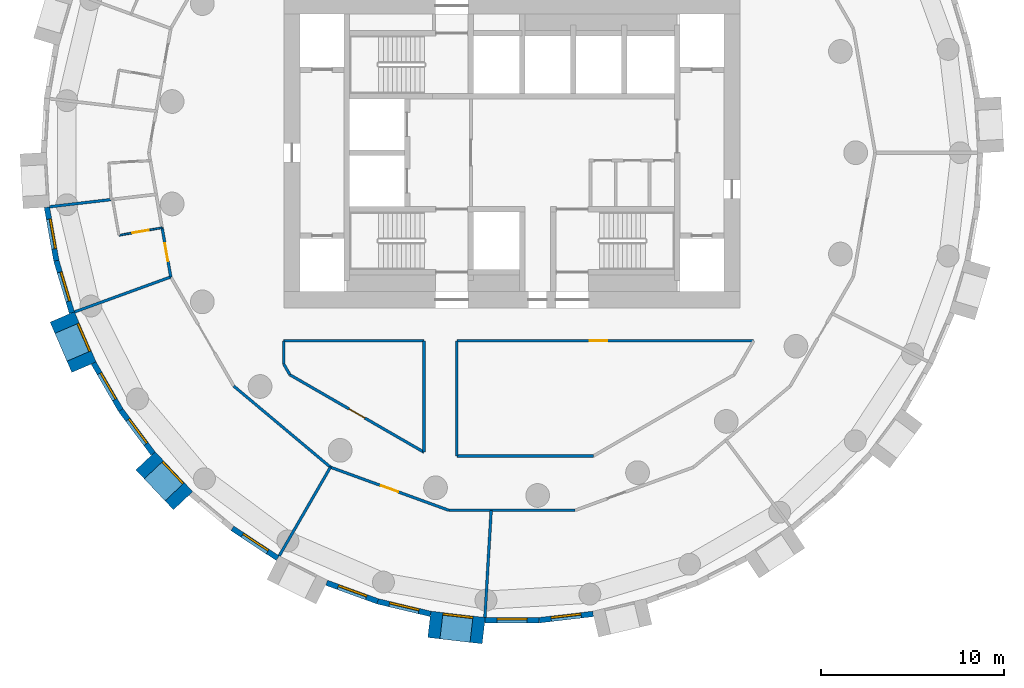
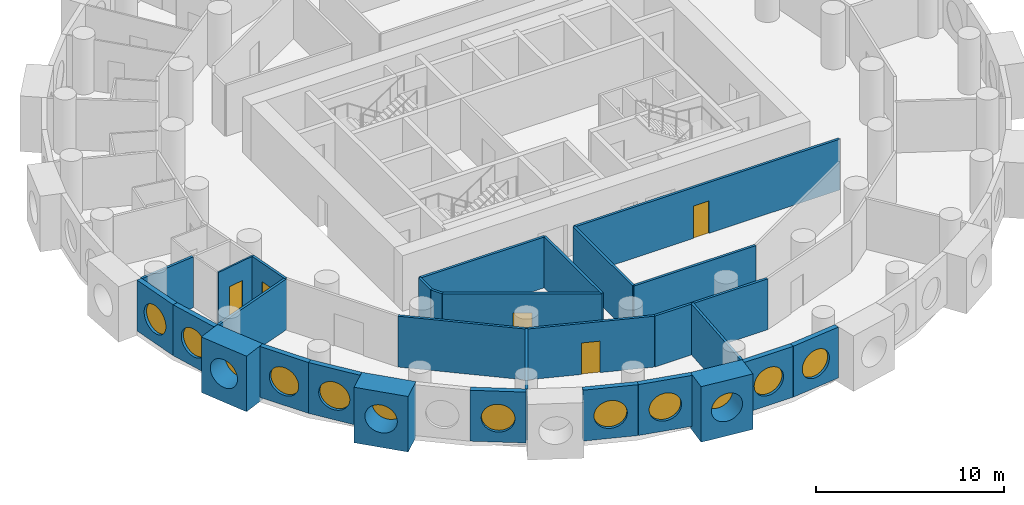
# One storey, part 2 of 10: 29 walls, 12 windows, 5 doors, 17 openings.
"""IFC4 building model written with IfcOpenShell, lengths in metres."""

import ifcopenshell
import ifcopenshell.guid

model = None  # the IFC model being written
_history = None  # IfcOwnerHistory: only IFC2X3 demands one
_inside = {}  # id of a spatial element -> (the spatial element, [elements in it])
_under = {}  # id of a project, library or spatial element -> (it, [spatial elements below it])
_declared = {}  # id of a project -> (the project, [libraries it declares])
_typed = {}  # id of a type object -> (the type object, [elements of that type])
_made_of = {}  # id of a material, layer set ... -> (it, [elements and type objects made of it])


def new_model(schema):
    """Start an empty IFC model of exactly this schema.

    Asked for "IFC4X3", IfcOpenShell would pick the latest addendum, in which some entities
    have other attributes; the version numbers below select the first issue.
    IFC2X3 requires an IfcOwnerHistory on every rooted entity: one is made here for all.
    """
    global model, _history
    if schema == "IFC4X3":
        model = ifcopenshell.file(schema_version=(4, 3, 0, 0))
    else:
        model = ifcopenshell.file(schema=schema)
    _inside.clear()
    _under.clear()
    _declared.clear()
    _typed.clear()
    _made_of.clear()
    _history = None
    if model.schema == "IFC2X3":
        org = make("IfcOrganization", Name="unknown")
        user = make(
            "IfcPersonAndOrganization",
            ThePerson=make("IfcPerson", FamilyName="unknown"),
            TheOrganization=org,
        )
        app = make(
            "IfcApplication",
            ApplicationDeveloper=org,
            Version="unknown",
            ApplicationFullName="unknown",
            ApplicationIdentifier="unknown",
        )
        _history = make(
            "IfcOwnerHistory",
            OwningUser=user,
            OwningApplication=app,
            ChangeAction="ADDED",
            CreationDate=0,
        )
    return model


def make(cls, **values):
    """One entity of the class cls with the attributes given. An attribute that is None is left unset."""
    return model.create_entity(
        cls, **{name: value for name, value in values.items() if value is not None}
    )


def rooted(cls, **values):
    """An entity with a GlobalId (a new one), such as an element, a storey or a relation."""
    return make(cls, GlobalId=ifcopenshell.guid.new(), OwnerHistory=_history, **values)


def si_unit(unit_type, name, prefix=None):
    """IfcSIUnit, for example si_unit("LENGTHUNIT", "METRE", prefix="MILLI")."""
    return make("IfcSIUnit", UnitType=unit_type, Prefix=prefix, Name=name)


def assignment(units):
    """IfcUnitAssignment: the units of a project."""
    return None if units is None else make("IfcUnitAssignment", Units=units)


def point(xyz):
    """IfcCartesianPoint."""
    return None if xyz is None else make("IfcCartesianPoint", Coordinates=xyz)


def direction(xyz):
    """IfcDirection."""
    return None if xyz is None else make("IfcDirection", DirectionRatios=xyz)


def frame(location, z_axis=None, x_axis=None):
    """IfcAxis2Placement3D, a coordinate frame: its origin and axes. An axis left out is left unset."""
    return make(
        "IfcAxis2Placement3D",
        Location=point(location),
        Axis=direction(z_axis),
        RefDirection=direction(x_axis),
    )


def frame_2d(location, x_axis=None):
    """IfcAxis2Placement2D, a coordinate frame in the plane: its origin and x axis."""
    return make(
        "IfcAxis2Placement2D", Location=point(location), RefDirection=direction(x_axis)
    )


def origin():
    """The frame at (0, 0, 0) with its axes left unset."""
    return frame((0.0, 0.0, 0.0))


def origin_2d():
    """The frame at (0, 0) in the plane with its x axis left unset."""
    return frame_2d((0.0, 0.0))


def place(relative_to, where):
    """IfcLocalPlacement: puts the frame where relative to a parent placement (None: the world)."""
    return make(
        "IfcLocalPlacement", PlacementRelTo=relative_to, RelativePlacement=where
    )


def context(
    kind, dimensions, precision=None, world=None, true_north=None, identifier=None
):
    """IfcGeometricRepresentationContext, for example the 3D "Model" context."""
    return make(
        "IfcGeometricRepresentationContext",
        ContextIdentifier=identifier,
        ContextType=kind,
        CoordinateSpaceDimension=dimensions,
        Precision=precision,
        WorldCoordinateSystem=world,
        TrueNorth=true_north,
    )


def subcontext(parent, identifier, kind, view, scale=None):
    """IfcGeometricRepresentationSubContext, for example "Body" below "Model"."""
    return make(
        "IfcGeometricRepresentationSubContext",
        ContextIdentifier=identifier,
        ContextType=kind,
        ParentContext=parent,
        TargetScale=scale,
        TargetView=view,
    )


def project(units=None, contexts=None):
    """IfcProject with its units and contexts."""
    return rooted(
        "IfcProject",
        Name="project",
        RepresentationContexts=contexts,
        UnitsInContext=assignment(units),
    )


def spatial(cls, under=None, at=None, **own):
    """A site, building, storey or space (cls), placed at a placement, below another one or the project."""
    s = rooted(cls, ObjectPlacement=at, **own)
    if under is not None:
        _under.setdefault(under.id(), (under, []))[1].append(s)
    return s


def profile(cls, at=None, kind="AREA", **sizes):
    """A parametric profile (cls). Its sizes go by their IFC names, for example OverallWidth=200.0."""
    return make(cls, ProfileType=kind, Position=at, **sizes)


def rectangle(**sizes):
    """IfcRectangleProfileDef."""
    return profile("IfcRectangleProfileDef", **sizes)


def circle(**sizes):
    """IfcCircleProfileDef."""
    return profile("IfcCircleProfileDef", **sizes)


def extrude(swept, where, along, depth):
    """IfcExtrudedAreaSolid: the profile swept, set in the frame where, extruded along a direction by depth."""
    return make(
        "IfcExtrudedAreaSolid",
        SweptArea=swept,
        Position=where,
        ExtrudedDirection=direction(along),
        Depth=depth,
    )


def shape(context_of_items, identifier, shape_type, items):
    """IfcShapeRepresentation: the items that make up one representation, for example the "Body"."""
    return make(
        "IfcShapeRepresentation",
        ContextOfItems=context_of_items,
        RepresentationIdentifier=identifier,
        RepresentationType=shape_type,
        Items=items,
    )


def material(Name=None, Category=None):
    """IfcMaterial."""
    return make("IfcMaterial", Name=Name, Category=Category)


def layer(
    of_material, thickness, ventilated=None, Name=None, Category=None, Priority=None
):
    """IfcMaterialLayer: one layer of a wall or slab, of a material (None: an air gap)."""
    return make(
        "IfcMaterialLayer",
        Material=of_material,
        LayerThickness=thickness,
        IsVentilated=ventilated,
        Name=Name,
        Category=Category,
        Priority=Priority,
    )


def layer_set(layers, Name=None):
    """IfcMaterialLayerSet."""
    return make("IfcMaterialLayerSet", MaterialLayers=layers, LayerSetName=Name)


def made_of(thing, what):
    """Note that an element or type object is made of a material, layer set ...; save() writes the relation."""
    if what is not None:
        _made_of.setdefault(what.id(), (what, []))[1].append(thing)
    return thing


def type_object(cls, material=None, **own):
    """A type object (cls), such as IfcWallType, which elements share."""
    return made_of(rooted(cls, **own), material)


def element(
    cls,
    number,
    at=None,
    inside=None,
    cuts=None,
    type_object=None,
    material=None,
    context=None,
    identifier="Body",
    shape_type=None,
    held_by="IfcProductDefinitionShape",
    body=None,
    shapes=None,
    **own,
):
    """One element of the class cls, such as IfcWall. Its Tag is "e" and its number.

    at: its placement. inside: the storey or other place that contains it. cuts: it is an
    opening in that element (IfcRelVoidsElement). A single representation is given by context,
    identifier, shape_type and body (its items); several are given by shapes. held_by: the class
    of the entity that holds the representations. save() writes the other relations.
    """
    e = rooted(cls, Tag="e%d" % number, ObjectPlacement=at, **own)
    if body is not None:
        shapes = [shape(context, identifier, shape_type, body)]
    if shapes is not None:
        e.Representation = make(held_by, Representations=shapes)
    if inside is not None:
        _inside.setdefault(inside.id(), (inside, []))[1].append(e)
    if cuts is not None:
        rooted(
            "IfcRelVoidsElement", RelatingBuildingElement=cuts, RelatedOpeningElement=e
        )
    if type_object is not None:
        _typed.setdefault(type_object.id(), (type_object, []))[1].append(e)
    return made_of(e, material)


def fill(opening, filler):
    """IfcRelFillsElement: the door or window that sits in an opening."""
    return rooted(
        "IfcRelFillsElement",
        RelatingOpeningElement=opening,
        RelatedBuildingElement=filler,
    )


def aggregate(whole, parts):
    """IfcRelAggregates: a whole, such as a stair, and the parts it consists of."""
    return rooted("IfcRelAggregates", RelatingObject=whole, RelatedObjects=parts)


def save(model, path):
    """Write the relations noted so far, then the file.

    IfcRelAggregates (storeys below a building ...), IfcRelContainedInSpatialStructure (elements
    in a storey), IfcRelDefinesByType, IfcRelAssociatesMaterial and IfcRelDeclares: one each for
    every whole, place, type object, material and project.
    """
    for whole, parts in _under.values():
        aggregate(whole, parts)
    for where, things in _inside.values():
        rooted(
            "IfcRelContainedInSpatialStructure",
            RelatedElements=things,
            RelatingStructure=where,
        )
    for kind, things in _typed.values():
        rooted("IfcRelDefinesByType", RelatedObjects=things, RelatingType=kind)
    for what, things in _made_of.values():
        rooted("IfcRelAssociatesMaterial", RelatedObjects=things, RelatingMaterial=what)
    for by, libraries in _declared.values():
        rooted("IfcRelDeclares", RelatingContext=by, RelatedDefinitions=libraries)
    model.write(path)


model = new_model("IFC4")

# Units and contexts
model_context = context("Model", 3, precision=1e-05, world=origin(), true_north=direction((0.0, 1.0)))
body_context = subcontext(model_context, "Body", "Model", "MODEL_VIEW")
ifc_project = project(units=[si_unit("LENGTHUNIT", "METRE"), si_unit("AREAUNIT", "SQUARE_METRE"), si_unit("VOLUMEUNIT", "CUBIC_METRE"), si_unit("PLANEANGLEUNIT", "RADIAN"), si_unit("MASSUNIT", "GRAM", prefix="KILO")], contexts=[model_context])

# Site, building, storey
site_placement = place(None, origin())
site = spatial("IfcSite", under=ifc_project, at=site_placement, CompositionType="ELEMENT")
building_placement = place(site_placement, origin())
building = spatial("IfcBuilding", under=site, at=building_placement, Name="Tracery Tower", CompositionType="ELEMENT")
storey_placement = place(building_placement, frame((0.0, 0.0, 144.0)))
storey = spatial("IfcBuildingStorey", under=building, at=storey_placement, Name="L36", CompositionType="ELEMENT", Elevation=144.0)

# Wall, opening, window
ifc_material_1 = material(Name="Precast concrete C50/60", Category="concrete")
ifc_layer_1 = layer(ifc_material_1, 1.449951171875)
ifc_layer_set_1 = layer_set([ifc_layer_1], Name="Deep-set bay unit 3000 x 3600, slab edge 300")
wall_type_1 = type_object("IfcWallType", Name="Deep-set bay unit 3000 x 3600, slab edge 300", PredefinedType="ELEMENTEDWALL", material=ifc_layer_set_1)
wall_1_placement = place(storey_placement, frame((-24.632080078125, -8.99169921875, -0.300048828125), z_axis=(0.0, 0.0, 1.0), x_axis=(0.396079003245, -0.918216435917, 0.0)))
wall_1 = element("IfcWall", 1, at=wall_1_placement, inside=storey, type_object=wall_type_1, Name="Deep-set bay unit 31 at L36", PredefinedType="ELEMENTEDWALL", context=body_context, shape_type="SweptSolid", body=[
    extrude(rectangle(XDim=3.0, YDim=1.449951171875, at=frame_2d((1.5, 0.0))), origin(), (0.0, 0.0, 1.0), 3.60009765625),
])
opening_1_placement = place(wall_1_placement, frame((1.5, 0.0, 1.85009765625)))
opening_1 = element("IfcOpeningElement", 2, at=opening_1_placement, cuts=wall_1, Name="Opening WN1", PredefinedType="OPENING", context=body_context, shape_type="SweptSolid", body=[
    extrude(circle(Radius=0.9000244140625, at=origin_2d()), frame((0.0, 0.73486328125, 0.0), z_axis=(0.0, -1.0, 0.0), x_axis=(1.0, 0.0, 0.0)), (0.0, 0.0, 1.0), 1.469970703125),
])
ifc_material_2 = material(Name="Aluminium frame with tinted double glazing", Category="aluminium")
window_type = type_object("IfcWindowType", Name="Round window 1800", PartitioningType="SINGLE_PANEL", PredefinedType="WINDOW", material=ifc_material_2)
window_1_placement = place(opening_1_placement, origin())
window_1 = element("IfcWindow", 3, at=window_1_placement, inside=storey, type_object=window_type, Name="Round window 31 at L36", OverallHeight=1.800048828125, OverallWidth=1.800048828125, PartitioningType="SINGLE_PANEL", PredefinedType="WINDOW", context=body_context, shape_type="SweptSolid", body=[
    extrude(circle(Radius=0.9000244140625, at=origin_2d()), frame((0.0, 0.69482421875, 0.0), z_axis=(0.0, -1.0, 0.0), x_axis=(1.0, 0.0, 0.0)), (0.0, 0.0, 1.0), 0.10009765625),
])
fill(opening_1, window_1)

wall_2_placement = place(storey_placement, frame((-20.0712890625, -16.8740234375, -0.300048828125), z_axis=(0.0, 0.0, 1.0), x_axis=(0.686217177108, -0.727396718334, 0.0)))
wall_2 = element("IfcWall", 4, at=wall_2_placement, inside=storey, type_object=wall_type_1, Name="Deep-set bay unit 34 at L36", PredefinedType="ELEMENTEDWALL", context=body_context, shape_type="SweptSolid", body=[
    extrude(rectangle(XDim=3.0, YDim=1.449951171875, at=frame_2d((1.5, 0.0))), origin(), (0.0, 0.0, 1.0), 3.60009765625),
])
opening_2_placement = place(wall_2_placement, frame((1.5, 0.0, 1.85009765625)))
opening_2 = element("IfcOpeningElement", 5, at=opening_2_placement, cuts=wall_2, Name="Opening WN1", PredefinedType="OPENING", context=body_context, shape_type="SweptSolid", body=[
    extrude(circle(Radius=0.9000244140625, at=origin_2d()), frame((0.0, 0.73486328125, 0.0), z_axis=(0.0, -1.0, 0.0), x_axis=(1.0, 0.0, 0.0)), (0.0, 0.0, 1.0), 1.469970703125),
])
window_2_placement = place(opening_2_placement, origin())
window_2 = element("IfcWindow", 6, at=window_2_placement, inside=storey, type_object=window_type, Name="Round window 34 at L36", OverallHeight=1.800048828125, OverallWidth=1.800048828125, PartitioningType="SINGLE_PANEL", PredefinedType="WINDOW", context=body_context, shape_type="SweptSolid", body=[
    extrude(circle(Radius=0.9000244140625, at=origin_2d()), frame((0.0, 0.69482421875, 0.0), z_axis=(0.0, -1.0, 0.0), x_axis=(1.0, 0.0, 0.0)), (0.0, 0.0, 1.0), 0.10009765625),
])
fill(opening_2, window_2)

wall_3_placement = place(storey_placement, frame((-4.529052734375, -25.827880859375, -0.300048828125), z_axis=(0.0, 0.0, 1.0), x_axis=(0.9932342274, -0.116128246006, 0.0)))
wall_3 = element("IfcWall", 7, at=wall_3_placement, inside=storey, type_object=wall_type_1, Name="Deep-set bay unit 40 at L36", PredefinedType="ELEMENTEDWALL", context=body_context, shape_type="SweptSolid", body=[
    extrude(rectangle(XDim=3.0, YDim=1.449951171875, at=frame_2d((1.5, 0.0))), origin(), (0.0, 0.0, 1.0), 3.60009765625),
])
opening_3_placement = place(wall_3_placement, frame((1.5, 0.0, 1.85009765625)))
opening_3 = element("IfcOpeningElement", 8, at=opening_3_placement, cuts=wall_3, Name="Opening WN1", PredefinedType="OPENING", context=body_context, shape_type="SweptSolid", body=[
    extrude(circle(Radius=0.9000244140625, at=origin_2d()), frame((0.0, 0.73486328125, 0.0), z_axis=(0.0, -1.0, 0.0), x_axis=(1.0, 0.0, 0.0)), (0.0, 0.0, 1.0), 1.469970703125),
])
window_3_placement = place(opening_3_placement, origin())
window_3 = element("IfcWindow", 9, at=window_3_placement, inside=storey, type_object=window_type, Name="Round window 40 at L36", OverallHeight=1.800048828125, OverallWidth=1.800048828125, PartitioningType="SINGLE_PANEL", PredefinedType="WINDOW", context=body_context, shape_type="SweptSolid", body=[
    extrude(circle(Radius=0.9000244140625, at=origin_2d()), frame((0.0, 0.69482421875, 0.0), z_axis=(0.0, -1.0, 0.0), x_axis=(1.0, 0.0, 0.0)), (0.0, 0.0, 1.0), 0.10009765625),
])
fill(opening_3, window_3)

ifc_material_3 = material(Name="Precast concrete C50/60", Category="concrete")
ifc_layer_2 = layer(ifc_material_3, 0.300048828125)
ifc_layer_set_2 = layer_set([ifc_layer_2], Name="Facade panel 3000 x 3300")
wall_type_2 = type_object("IfcWallType", Name="Facade panel 3000 x 3300", PredefinedType="SOLIDWALL", material=ifc_layer_set_2)
wall_4_placement = place(storey_placement, frame((-25.472412109375, -2.987060546875, 0.0), z_axis=(0.0, 0.0, 1.0), x_axis=(0.173686952598, -0.984800915159, 0.0)))
wall_4 = element("IfcWall", 10, at=wall_4_placement, inside=storey, type_object=wall_type_2, Name="Facade panel 29 at L36", PredefinedType="SOLIDWALL", context=body_context, shape_type="SweptSolid", body=[
    extrude(rectangle(XDim=2.972900390625, YDim=0.300048828125, at=frame_2d((1.486328125, 0.0))), origin(), (0.0, 0.0, 1.0), 3.300048828125),
])
opening_4_placement = place(wall_4_placement, frame((1.486328125, 0.0, 1.5498046875)))
opening_4 = element("IfcOpeningElement", 11, at=opening_4_placement, cuts=wall_4, Name="Opening WN1", PredefinedType="OPENING", context=body_context, shape_type="SweptSolid", body=[
    extrude(circle(Radius=0.9000244140625, at=origin_2d()), frame((0.0, 0.159912109375, 0.0), z_axis=(0.0, -1.0, 0.0), x_axis=(1.0, 0.0, 0.0)), (0.0, 0.0, 1.0), 0.320068359375),
])
window_4_placement = place(opening_4_placement, origin())
window_4 = element("IfcWindow", 12, at=window_4_placement, inside=storey, type_object=window_type, Name="Round window 29 at L36", OverallHeight=1.800048828125, OverallWidth=1.800048828125, PartitioningType="SINGLE_PANEL", PredefinedType="WINDOW", context=body_context, shape_type="SweptSolid", body=[
    extrude(circle(Radius=0.9000244140625, at=origin_2d()), frame((0.0, 0.1201171875, 0.0), z_axis=(0.0, -1.0, 0.0), x_axis=(1.0, 0.0, 0.0)), (0.0, 0.0, 1.0), 0.10009765625),
])
fill(opening_4, window_4)

wall_5_placement = place(storey_placement, frame((-24.9560546875, -5.914794921875, 0.0), z_axis=(0.0, 0.0, 1.0), x_axis=(0.286782750849, -0.957995643944, 0.0)))
wall_5 = element("IfcWall", 13, at=wall_5_placement, inside=storey, type_object=wall_type_2, Name="Facade panel 30 at L36", PredefinedType="SOLIDWALL", context=body_context, shape_type="SweptSolid", body=[
    extrude(rectangle(XDim=2.97265625, YDim=0.300048828125, at=frame_2d((1.486328125, 0.0))), origin(), (0.0, 0.0, 1.0), 3.300048828125),
])
opening_5_placement = place(wall_5_placement, frame((1.486328125, 0.0, 1.5498046875)))
opening_5 = element("IfcOpeningElement", 14, at=opening_5_placement, cuts=wall_5, Name="Opening WN1", PredefinedType="OPENING", context=body_context, shape_type="SweptSolid", body=[
    extrude(circle(Radius=0.9000244140625, at=origin_2d()), frame((0.0, 0.159912109375, 0.0), z_axis=(0.0, -1.0, 0.0), x_axis=(1.0, 0.0, 0.0)), (0.0, 0.0, 1.0), 0.320068359375),
])
window_5_placement = place(opening_5_placement, origin())
window_5 = element("IfcWindow", 15, at=window_5_placement, inside=storey, type_object=window_type, Name="Round window 30 at L36", OverallHeight=1.800048828125, OverallWidth=1.800048828125, PartitioningType="SINGLE_PANEL", PredefinedType="WINDOW", context=body_context, shape_type="SweptSolid", body=[
    extrude(circle(Radius=0.9000244140625, at=origin_2d()), frame((0.0, 0.1201171875, 0.0), z_axis=(0.0, -1.0, 0.0), x_axis=(1.0, 0.0, 0.0)), (0.0, 0.0, 1.0), 0.10009765625),
])
fill(opening_5, window_5)

wall_6_placement = place(storey_placement, frame((-22.91455078125, -11.518798828125, 0.0), z_axis=(0.0, 0.0, 1.0), x_axis=(0.499954672104, -0.866051572276, 0.0)))
wall_6 = element("IfcWall", 16, at=wall_6_placement, inside=storey, type_object=wall_type_2, Name="Facade panel 32 at L36", PredefinedType="SOLIDWALL", context=body_context, shape_type="SweptSolid", body=[
    extrude(rectangle(XDim=2.972900390625, YDim=0.300048828125, at=frame_2d((1.486328125, 0.0))), origin(), (0.0, 0.0, 1.0), 3.300048828125),
])
opening_6_placement = place(wall_6_placement, frame((1.486328125, 0.0, 1.5498046875)))
opening_6 = element("IfcOpeningElement", 17, at=opening_6_placement, cuts=wall_6, Name="Opening WN1", PredefinedType="OPENING", context=body_context, shape_type="SweptSolid", body=[
    extrude(circle(Radius=0.9000244140625, at=origin_2d()), frame((0.0, 0.159912109375, 0.0), z_axis=(0.0, -1.0, 0.0), x_axis=(1.0, 0.0, 0.0)), (0.0, 0.0, 1.0), 0.320068359375),
])
window_6_placement = place(opening_6_placement, origin())
window_6 = element("IfcWindow", 18, at=window_6_placement, inside=storey, type_object=window_type, Name="Round window 32 at L36", OverallHeight=1.800048828125, OverallWidth=1.800048828125, PartitioningType="SINGLE_PANEL", PredefinedType="WINDOW", context=body_context, shape_type="SweptSolid", body=[
    extrude(circle(Radius=0.9000244140625, at=origin_2d()), frame((0.0, 0.1201171875, 0.0), z_axis=(0.0, -1.0, 0.0), x_axis=(1.0, 0.0, 0.0)), (0.0, 0.0, 1.0), 0.10009765625),
])
fill(opening_6, window_6)

wall_7_placement = place(storey_placement, frame((-21.42822265625, -14.093505859375, 0.0), z_axis=(0.0, 0.0, 1.0), x_axis=(0.597197580538, -0.80209416517, 0.0)))
wall_7 = element("IfcWall", 19, at=wall_7_placement, inside=storey, type_object=wall_type_2, Name="Facade panel 33 at L36", PredefinedType="SOLIDWALL", context=body_context, shape_type="SweptSolid", body=[
    extrude(rectangle(XDim=2.972900390625, YDim=0.300048828125, at=frame_2d((1.486328125, 0.0))), origin(), (0.0, 0.0, 1.0), 3.300048828125),
])
opening_7_placement = place(wall_7_placement, frame((1.486328125, 0.0, 1.5498046875)))
opening_7 = element("IfcOpeningElement", 20, at=opening_7_placement, cuts=wall_7, Name="Opening WN1", PredefinedType="OPENING", context=body_context, shape_type="SweptSolid", body=[
    extrude(circle(Radius=0.9000244140625, at=origin_2d()), frame((0.0, 0.159912109375, 0.0), z_axis=(0.0, -1.0, 0.0), x_axis=(1.0, 0.0, 0.0)), (0.0, 0.0, 1.0), 0.320068359375),
])
window_7_placement = place(opening_7_placement, origin())
window_7 = element("IfcWindow", 21, at=window_7_placement, inside=storey, type_object=window_type, Name="Round window 33 at L36", OverallHeight=1.800048828125, OverallWidth=1.800048828125, PartitioningType="SINGLE_PANEL", PredefinedType="WINDOW", context=body_context, shape_type="SweptSolid", body=[
    extrude(circle(Radius=0.9000244140625, at=origin_2d()), frame((0.0, 0.1201171875, 0.0), z_axis=(0.0, -1.0, 0.0), x_axis=(1.0, 0.0, 0.0)), (0.0, 0.0, 1.0), 0.10009765625),
])
fill(opening_7, window_7)

wall_8_placement = place(storey_placement, frame((-15.315673828125, -20.572509765625, 0.0), z_axis=(0.0, 0.0, 1.0), x_axis=(0.835508361394, -0.54947773207, 0.0)))
wall_8 = element("IfcWall", 22, at=wall_8_placement, inside=storey, type_object=wall_type_2, Name="Facade panel 36 at L36", PredefinedType="SOLIDWALL", context=body_context, shape_type="SweptSolid", body=[
    extrude(rectangle(XDim=2.972900390625, YDim=0.300048828125, at=frame_2d((1.486328125, 0.0))), origin(), (0.0, 0.0, 1.0), 3.300048828125),
])
opening_8_placement = place(wall_8_placement, frame((1.486328125, 0.0, 1.5498046875)))
opening_8 = element("IfcOpeningElement", 23, at=opening_8_placement, cuts=wall_8, Name="Opening WN1", PredefinedType="OPENING", context=body_context, shape_type="SweptSolid", body=[
    extrude(circle(Radius=0.9000244140625, at=origin_2d()), frame((0.0, 0.159912109375, 0.0), z_axis=(0.0, -1.0, 0.0), x_axis=(1.0, 0.0, 0.0)), (0.0, 0.0, 1.0), 0.320068359375),
])
window_8_placement = place(opening_8_placement, origin())
window_8 = element("IfcWindow", 24, at=window_8_placement, inside=storey, type_object=window_type, Name="Round window 36 at L36", OverallHeight=1.800048828125, OverallWidth=1.800048828125, PartitioningType="SINGLE_PANEL", PredefinedType="WINDOW", context=body_context, shape_type="SweptSolid", body=[
    extrude(circle(Radius=0.9000244140625, at=origin_2d()), frame((0.0, 0.1201171875, 0.0), z_axis=(0.0, -1.0, 0.0), x_axis=(1.0, 0.0, 0.0)), (0.0, 0.0, 1.0), 0.10009765625),
])
fill(opening_8, window_8)

wall_9_placement = place(storey_placement, frame((-10.1494140625, -23.55322265625, 0.0), z_axis=(0.0, 0.0, 1.0), x_axis=(0.939690282133, -0.342026568652, 0.0)))
wall_9 = element("IfcWall", 25, at=wall_9_placement, inside=storey, type_object=wall_type_2, Name="Facade panel 38 at L36", PredefinedType="SOLIDWALL", context=body_context, shape_type="SweptSolid", body=[
    extrude(rectangle(XDim=2.972900390625, YDim=0.300048828125, at=frame_2d((1.486328125, 0.0))), origin(), (0.0, 0.0, 1.0), 3.300048828125),
])
opening_9_placement = place(wall_9_placement, frame((1.486328125, 0.0, 1.5498046875)))
opening_9 = element("IfcOpeningElement", 26, at=opening_9_placement, cuts=wall_9, Name="Opening WN1", PredefinedType="OPENING", context=body_context, shape_type="SweptSolid", body=[
    extrude(circle(Radius=0.9000244140625, at=origin_2d()), frame((0.0, 0.159912109375, 0.0), z_axis=(0.0, -1.0, 0.0), x_axis=(1.0, 0.0, 0.0)), (0.0, 0.0, 1.0), 0.320068359375),
])
window_9_placement = place(opening_9_placement, origin())
window_9 = element("IfcWindow", 27, at=window_9_placement, inside=storey, type_object=window_type, Name="Round window 38 at L36", OverallHeight=1.800048828125, OverallWidth=1.800048828125, PartitioningType="SINGLE_PANEL", PredefinedType="WINDOW", context=body_context, shape_type="SweptSolid", body=[
    extrude(circle(Radius=0.9000244140625, at=origin_2d()), frame((0.0, 0.1201171875, 0.0), z_axis=(0.0, -1.0, 0.0), x_axis=(1.0, 0.0, 0.0)), (0.0, 0.0, 1.0), 0.10009765625),
])
fill(opening_9, window_9)

wall_10_placement = place(storey_placement, frame((-7.355712890625, -24.570068359375, 0.0), z_axis=(0.0, 0.0, 1.0), x_axis=(0.973045378923, -0.230613725862, 0.0)))
wall_10 = element("IfcWall", 28, at=wall_10_placement, inside=storey, type_object=wall_type_2, Name="Facade panel 39 at L36", PredefinedType="SOLIDWALL", context=body_context, shape_type="SweptSolid", body=[
    extrude(rectangle(XDim=2.97265625, YDim=0.300048828125, at=frame_2d((1.486328125, 0.0))), origin(), (0.0, 0.0, 1.0), 3.300048828125),
])
opening_10_placement = place(wall_10_placement, frame((1.486328125, 0.0, 1.5498046875)))
opening_10 = element("IfcOpeningElement", 29, at=opening_10_placement, cuts=wall_10, Name="Opening WN1", PredefinedType="OPENING", context=body_context, shape_type="SweptSolid", body=[
    extrude(circle(Radius=0.9000244140625, at=origin_2d()), frame((0.0, 0.159912109375, 0.0), z_axis=(0.0, -1.0, 0.0), x_axis=(1.0, 0.0, 0.0)), (0.0, 0.0, 1.0), 0.320068359375),
])
window_10_placement = place(opening_10_placement, origin())
window_10 = element("IfcWindow", 30, at=window_10_placement, inside=storey, type_object=window_type, Name="Round window 39 at L36", OverallHeight=1.800048828125, OverallWidth=1.800048828125, PartitioningType="SINGLE_PANEL", PredefinedType="WINDOW", context=body_context, shape_type="SweptSolid", body=[
    extrude(circle(Radius=0.9000244140625, at=origin_2d()), frame((0.0, 0.1201171875, 0.0), z_axis=(0.0, -1.0, 0.0), x_axis=(1.0, 0.0, 0.0)), (0.0, 0.0, 1.0), 0.10009765625),
])
fill(opening_10, window_10)

wall_11_placement = place(storey_placement, frame((-1.481689453125, -25.60400390625, 0.0), z_axis=(0.0, 0.0, 1.0), x_axis=(1.0, 0.0, 0.0)))
wall_11 = element("IfcWall", 31, at=wall_11_placement, inside=storey, type_object=wall_type_2, Name="Facade panel 41 at L36", PredefinedType="SOLIDWALL", context=body_context, shape_type="SweptSolid", body=[
    extrude(rectangle(XDim=2.972900390625, YDim=0.300048828125, at=frame_2d((1.486328125, 0.0))), origin(), (0.0, 0.0, 1.0), 3.300048828125),
])
opening_11_placement = place(wall_11_placement, frame((1.486328125, 0.0, 1.5498046875)))
opening_11 = element("IfcOpeningElement", 32, at=opening_11_placement, cuts=wall_11, Name="Opening WN1", PredefinedType="OPENING", context=body_context, shape_type="SweptSolid", body=[
    extrude(circle(Radius=0.9000244140625, at=origin_2d()), frame((0.0, 0.159912109375, 0.0), z_axis=(0.0, -1.0, 0.0), x_axis=(1.0, 0.0, 0.0)), (0.0, 0.0, 1.0), 0.320068359375),
])
window_11_placement = place(opening_11_placement, origin())
window_11 = element("IfcWindow", 33, at=window_11_placement, inside=storey, type_object=window_type, Name="Round window 41 at L36", OverallHeight=1.800048828125, OverallWidth=1.800048828125, PartitioningType="SINGLE_PANEL", PredefinedType="WINDOW", context=body_context, shape_type="SweptSolid", body=[
    extrude(circle(Radius=0.9000244140625, at=origin_2d()), frame((0.0, 0.1201171875, 0.0), z_axis=(0.0, -1.0, 0.0), x_axis=(1.0, 0.0, 0.0)), (0.0, 0.0, 1.0), 0.10009765625),
])
fill(opening_11, window_11)

wall_12_placement = place(storey_placement, frame((1.4912109375, -25.60400390625, 0.0), z_axis=(0.0, 0.0, 1.0), x_axis=(0.993245010522, 0.1160359818, 0.0)))
wall_12 = element("IfcWall", 34, at=wall_12_placement, inside=storey, type_object=wall_type_2, Name="Facade panel 42 at L36", PredefinedType="SOLIDWALL", context=body_context, shape_type="SweptSolid", body=[
    extrude(rectangle(XDim=2.972900390625, YDim=0.300048828125, at=frame_2d((1.486328125, 0.0))), origin(), (0.0, 0.0, 1.0), 3.300048828125),
])
opening_12_placement = place(wall_12_placement, frame((1.486328125, 0.0, 1.5498046875)))
opening_12 = element("IfcOpeningElement", 35, at=opening_12_placement, cuts=wall_12, Name="Opening WN1", PredefinedType="OPENING", context=body_context, shape_type="SweptSolid", body=[
    extrude(circle(Radius=0.9000244140625, at=origin_2d()), frame((0.0, 0.159912109375, 0.0), z_axis=(0.0, -1.0, 0.0), x_axis=(1.0, 0.0, 0.0)), (0.0, 0.0, 1.0), 0.320068359375),
])
window_12_placement = place(opening_12_placement, origin())
window_12 = element("IfcWindow", 36, at=window_12_placement, inside=storey, type_object=window_type, Name="Round window 42 at L36", OverallHeight=1.800048828125, OverallWidth=1.800048828125, PartitioningType="SINGLE_PANEL", PredefinedType="WINDOW", context=body_context, shape_type="SweptSolid", body=[
    extrude(circle(Radius=0.9000244140625, at=origin_2d()), frame((0.0, 0.1201171875, 0.0), z_axis=(0.0, -1.0, 0.0), x_axis=(1.0, 0.0, 0.0)), (0.0, 0.0, 1.0), 0.10009765625),
])
fill(opening_12, window_12)

# Wall, opening, door
ifc_material_4 = material(Name="Plasterboard on steel studs", Category="steel")
ifc_layer_3 = layer(ifc_material_4, 0.10009765625)
ifc_layer_set_3 = layer_set([ifc_layer_3], Name="Partition 100 wet wall")
wall_type_3 = type_object("IfcWallType", Name="Partition 100 wet wall", PredefinedType="PARTITIONING", material=ifc_layer_set_3)
wall_13_placement = place(storey_placement, frame((-21.527099609375, -4.52392578125, 0.0), z_axis=(0.0, 0.0, 1.0), x_axis=(0.9848663854, 0.173315327969, 0.0)))
wall_13 = element("IfcWall", 37, at=wall_13_placement, inside=storey, type_object=wall_type_3, Name="Wet wall RB2-075", PredefinedType="PARTITIONING", context=body_context, shape_type="SweptSolid", body=[
    extrude(rectangle(XDim=2.400390625, YDim=0.10009765625, at=frame_2d((1.2001953125, 0.0))), origin(), (0.0, 0.0, 1.0), 3.300048828125),
])
opening_13_placement = place(wall_13_placement, frame((0.75, 0.0, 0.0)))
opening_13 = element("IfcOpeningElement", 38, at=opening_13_placement, cuts=wall_13, Name="Opening RB2-26", PredefinedType="OPENING", context=body_context, shape_type="SweptSolid", body=[
    extrude(rectangle(XDim=0.89990234375, YDim=2.0400390625, at=frame_2d((0.449951171875, 1.02001953125))), frame((0.0, 0.050048828125, 0.0), z_axis=(0.0, -1.0, 0.0), x_axis=(1.0, 0.0, 0.0)), (0.0, 0.0, 1.0), 0.10009765625),
])
ifc_material_5 = material(Name="Timber door leaf", Category="wood")
door_type_1 = type_object("IfcDoorType", Name="Door en-suite 900", OperationType="NOTDEFINED", PredefinedType="DOOR", material=ifc_material_5)
door_1_placement = place(opening_13_placement, origin())
door_1 = element("IfcDoor", 39, at=door_1_placement, inside=storey, type_object=door_type_1, Name="En-suite door RB2-26", OperationType="SINGLE_SWING_LEFT", OverallHeight=2.0400390625, OverallWidth=0.89990234375, PredefinedType="DOOR", context=body_context, shape_type="SweptSolid", body=[
    extrude(rectangle(XDim=0.89990234375, YDim=2.0400390625, at=frame_2d((0.449951171875, 1.02001953125))), frame((0.0, 0.02490234375, 0.0), z_axis=(0.0, -1.0, 0.0), x_axis=(1.0, 0.0, 0.0)), (0.0, 0.0, 1.0), 0.050048828125),
])
fill(opening_13, door_1)

# Walls
ifc_material_6 = material(Name="Plasterboard on steel studs", Category="steel")
ifc_layer_4 = layer(ifc_material_6, 0.14990234375)
ifc_layer_set_4 = layer_set([ifc_layer_4], Name="Partition 150 acoustic unit wall")
wall_type_4 = type_object("IfcWallType", Name="Partition 150 acoustic unit wall", PredefinedType="PARTITIONING", material=ifc_layer_set_4)
wall_14_placement = place(storey_placement, frame((-25.324951171875, -2.9599609375, 0.0), z_axis=(0.0, 0.0, 1.0), x_axis=(0.993238911344, 0.11608817766, 0.0)))
element("IfcWall", 40, at=wall_14_placement, inside=storey, type_object=wall_type_4, Name="Unit wall RB2-072", PredefinedType="PARTITIONING", context=body_context, shape_type="SweptSolid", body=[
    extrude(rectangle(XDim=3.385986328125, YDim=0.14990234375, at=frame_2d((1.69287109375, 0.0))), origin(), (0.0, 0.0, 1.0), 3.300048828125),
])
wall_15_placement = place(storey_placement, frame((-23.9599609375, -8.720947265625, 0.0), z_axis=(0.0, 0.0, 1.0), x_axis=(0.939686652043, 0.342036541866, 0.0)))
element("IfcWall", 41, at=wall_15_placement, inside=storey, type_object=wall_type_4, Name="Unit wall RB2-076", PredefinedType="PARTITIONING", context=body_context, shape_type="SweptSolid", body=[
    extrude(rectangle(XDim=5.6103515625, YDim=0.14990234375, at=frame_2d((2.80517578125, 0.0))), origin(), (0.0, 0.0, 1.0), 3.300048828125),
])
wall_16_placement = place(storey_placement, frame((-12.7490234375, -22.0810546875, 0.0), z_axis=(0.0, 0.0, 1.0), x_axis=(0.500010020406, 0.866019618423, 0.0)))
element("IfcWall", 42, at=wall_16_placement, inside=storey, type_object=wall_type_4, Name="Unit wall RB2-077", PredefinedType="PARTITIONING", context=body_context, shape_type="SweptSolid", body=[
    extrude(rectangle(XDim=5.60986328125, YDim=0.14990234375, at=frame_2d((2.804931640625, 0.0))), origin(), (0.0, 0.0, 1.0), 3.300048828125),
])
wall_17_placement = place(storey_placement, frame((-1.48291015625, -25.4541015625, 0.0), z_axis=(0.0, 0.0, 1.0), x_axis=(0.058147412668, 0.998308007781, 0.0)))
element("IfcWall", 43, at=wall_17_placement, inside=storey, type_object=wall_type_4, Name="Unit wall RB2-078", PredefinedType="PARTITIONING", context=body_context, shape_type="SweptSolid", body=[
    extrude(rectangle(XDim=5.878173828125, YDim=0.14990234375, at=frame_2d((2.93896484375, 0.0))), origin(), (0.0, 0.0, 1.0), 3.300048828125),
])
ifc_material_7 = material(Name="Plasterboard on steel studs", Category="steel")
ifc_layer_5 = layer(ifc_material_7, 0.14990234375)
ifc_layer_set_5 = layer_set([ifc_layer_5], Name="Partition 150 corridor wall")
wall_type_5 = type_object("IfcWallType", Name="Partition 150 corridor wall", PredefinedType="PARTITIONING", material=ifc_layer_set_5)
wall_18_placement = place(storey_placement, frame((-12.50390625, -10.300048828125, 0.0), z_axis=(0.0, 0.0, 1.0), x_axis=(1.0, 0.0, 0.0)))
element("IfcWall", 44, at=wall_18_placement, inside=storey, type_object=wall_type_5, Name="Corridor wall RB2-003", PredefinedType="PARTITIONING", context=body_context, shape_type="SweptSolid", body=[
    extrude(rectangle(XDim=7.68701171875, YDim=0.14990234375, at=frame_2d((3.843505859375, 0.0))), origin(), (0.0, 0.0, 1.0), 3.300048828125),
])

# Wall, opening, door
wall_19_placement = place(storey_placement, frame((-3.02490234375, -10.300048828125, 0.0), z_axis=(0.0, 0.0, 1.0), x_axis=(1.0, 0.0, 0.0)))
wall_19 = element("IfcWall", 45, at=wall_19_placement, inside=storey, type_object=wall_type_5, Name="Corridor wall RB2-004", PredefinedType="PARTITIONING", context=body_context, shape_type="SweptSolid", body=[
    extrude(rectangle(XDim=16.261962890625, YDim=0.14990234375, at=frame_2d((8.130859375, 0.0))), origin(), (0.0, 0.0, 1.0), 3.300048828125),
])
opening_14_placement = place(wall_19_placement, frame((7.287109375, 0.0, 0.0)))
opening_14 = element("IfcOpeningElement", 46, at=opening_14_placement, cuts=wall_19, Name="Opening RB2-04", PredefinedType="OPENING", context=body_context, shape_type="SweptSolid", body=[
    extrude(rectangle(XDim=0.949951171875, YDim=2.10009765625, at=frame_2d((0.47509765625, 1.050048828125))), frame((0.0, 0.074951171875, 0.0), z_axis=(0.0, -1.0, 0.0), x_axis=(1.0, 0.0, 0.0)), (0.0, 0.0, 1.0), 0.14990234375),
])
ifc_material_8 = material(Name="Timber door leaf", Category="wood")
door_type_2 = type_object("IfcDoorType", Name="Door store 950", OperationType="NOTDEFINED", PredefinedType="DOOR", material=ifc_material_8)
door_2_placement = place(opening_14_placement, origin())
door_2 = element("IfcDoor", 47, at=door_2_placement, inside=storey, type_object=door_type_2, Name="Store door RB2-04", OperationType="SINGLE_SWING_RIGHT", OverallHeight=2.10009765625, OverallWidth=0.949951171875, PredefinedType="DOOR", context=body_context, shape_type="SweptSolid", body=[
    extrude(rectangle(XDim=0.949951171875, YDim=2.10009765625, at=frame_2d((0.47509765625, 1.050048828125))), frame((0.0, 0.02490234375, 0.0), z_axis=(0.0, -1.0, 0.0), x_axis=(1.0, 0.0, 0.0)), (0.0, 0.0, 1.0), 0.050048828125),
])
fill(opening_14, door_2)

# Walls
wall_20_placement = place(storey_placement, frame((-12.5, -11.576904296875, 0.0), z_axis=(0.0, 0.0, 1.0), x_axis=(0.0, 1.0, 0.0)))
element("IfcWall", 48, at=wall_20_placement, inside=storey, type_object=wall_type_5, Name="Corridor wall RB2-024", PredefinedType="PARTITIONING", context=body_context, shape_type="SweptSolid", body=[
    extrude(rectangle(XDim=1.27685546875, YDim=0.14990234375, at=frame_2d((0.638427734375, 0.0))), origin(), (0.0, 0.0, 1.0), 3.300048828125),
])
wall_21_placement = place(storey_placement, frame((-12.5, -11.576904296875, 0.0), z_axis=(0.0, 0.0, 1.0), x_axis=(0.500024767483, -0.866011103799, 0.0)))
element("IfcWall", 49, at=wall_21_placement, inside=storey, type_object=wall_type_5, Name="Corridor wall RB2-025", PredefinedType="PARTITIONING", context=body_context, shape_type="SweptSolid", body=[
    extrude(rectangle(XDim=0.67578125, YDim=0.14990234375, at=frame_2d((0.337890625, 0.0))), origin(), (0.0, 0.0, 1.0), 3.300048828125),
])

# Wall, opening, door
wall_22_placement = place(storey_placement, frame((-19.1640625, -4.10400390625, 0.0), z_axis=(0.0, 0.0, 1.0), x_axis=(0.173770083029, -0.984786250028, 0.0)))
wall_22 = element("IfcWall", 50, at=wall_22_placement, inside=storey, type_object=wall_type_5, Name="Corridor wall RB2-029", PredefinedType="PARTITIONING", context=body_context, shape_type="SweptSolid", body=[
    extrude(rectangle(XDim=2.73974609375, YDim=0.14990234375, at=frame_2d((1.369873046875, 0.0))), origin(), (0.0, 0.0, 1.0), 3.300048828125),
])
opening_15_placement = place(wall_22_placement, frame((0.86962890625, 0.0, 0.0)))
opening_15 = element("IfcOpeningElement", 51, at=opening_15_placement, cuts=wall_22, Name="Opening RB2-27", PredefinedType="OPENING", context=body_context, shape_type="SweptSolid", body=[
    extrude(rectangle(XDim=1.0, YDim=2.10009765625, at=frame_2d((0.5, 1.050048828125))), frame((0.0, 0.074951171875, 0.0), z_axis=(0.0, -1.0, 0.0), x_axis=(1.0, 0.0, 0.0)), (0.0, 0.0, 1.0), 0.14990234375),
])
ifc_material_9 = material(Name="Timber door leaf", Category="wood")
door_type_3 = type_object("IfcDoorType", Name="Door unit entrance 1000", OperationType="NOTDEFINED", PredefinedType="DOOR", material=ifc_material_9)
door_3_placement = place(opening_15_placement, origin())
door_3 = element("IfcDoor", 52, at=door_3_placement, inside=storey, type_object=door_type_3, Name="Unit entrance door RB2-27", OperationType="SINGLE_SWING_RIGHT", OverallHeight=2.10009765625, OverallWidth=1.0, PredefinedType="DOOR", context=body_context, shape_type="SweptSolid", body=[
    extrude(rectangle(XDim=1.0, YDim=2.10009765625, at=frame_2d((0.5, 1.050048828125))), frame((0.0, 0.02490234375, 0.0), z_axis=(0.0, -1.0, 0.0), x_axis=(1.0, 0.0, 0.0)), (0.0, 0.0, 1.0), 0.050048828125),
])
fill(opening_15, door_3)

# Wall
wall_23_placement = place(storey_placement, frame((-15.235107421875, -12.783935546875, 0.0), z_axis=(0.0, 0.0, 1.0), x_axis=(0.766192104565, -0.642611592567, 0.0)))
element("IfcWall", 53, at=wall_23_placement, inside=storey, type_object=wall_type_5, Name="Corridor wall RB2-030", PredefinedType="PARTITIONING", context=body_context, shape_type="SweptSolid", body=[
    extrude(rectangle(XDim=6.906494140625, YDim=0.14990234375, at=frame_2d((3.453125, 0.0))), origin(), (0.0, 0.0, 1.0), 3.300048828125),
])

# Wall, opening, door
wall_24_placement = place(storey_placement, frame((-12.162109375, -12.162109375, 0.0), z_axis=(0.0, 0.0, 1.0), x_axis=(0.866004766557, -0.500035743023, 0.0)))
wall_24 = element("IfcWall", 54, at=wall_24_placement, inside=storey, type_object=wall_type_5, Name="Corridor wall RB2-032", PredefinedType="PARTITIONING", context=body_context, shape_type="SweptSolid", body=[
    extrude(rectangle(XDim=8.47705078125, YDim=0.14990234375, at=frame_2d((4.238525390625, 0.0))), origin(), (0.0, 0.0, 1.0), 3.300048828125),
])
opening_16_placement = place(wall_24_placement, frame((3.738037109375, 0.0, 0.0)))
opening_16 = element("IfcOpeningElement", 55, at=opening_16_placement, cuts=wall_24, Name="Opening RB2-03", PredefinedType="OPENING", context=body_context, shape_type="SweptSolid", body=[
    extrude(rectangle(XDim=1.0, YDim=2.0400390625, at=frame_2d((0.5, 1.02001953125))), frame((0.0, 0.074951171875, 0.0), z_axis=(0.0, -1.0, 0.0), x_axis=(1.0, 0.0, 0.0)), (0.0, 0.0, 1.0), 0.14990234375),
])
ifc_material_10 = material(Name="Timber door leaf", Category="wood")
door_type_4 = type_object("IfcDoorType", Name="Door communal room 1000", OperationType="NOTDEFINED", PredefinedType="DOOR", material=ifc_material_10)
door_4_placement = place(opening_16_placement, origin())
door_4 = element("IfcDoor", 56, at=door_4_placement, inside=storey, type_object=door_type_4, Name="Communal room door RB2-03", OperationType="SINGLE_SWING_LEFT", OverallHeight=2.0400390625, OverallWidth=1.0, PredefinedType="DOOR", context=body_context, shape_type="SweptSolid", body=[
    extrude(rectangle(XDim=1.0, YDim=2.0400390625, at=frame_2d((0.5, 1.02001953125))), frame((0.0, 0.02490234375, 0.0), z_axis=(0.0, -1.0, 0.0), x_axis=(1.0, 0.0, 0.0)), (0.0, 0.0, 1.0), 0.050048828125),
])
fill(opening_16, door_4)

# Walls
wall_25_placement = place(storey_placement, frame((-4.821044921875, -16.40087890625, 0.0), z_axis=(0.0, 0.0, 1.0), x_axis=(0.0, 1.0, 0.0)))
element("IfcWall", 57, at=wall_25_placement, inside=storey, type_object=wall_type_5, Name="Corridor wall RB2-033", PredefinedType="PARTITIONING", context=body_context, shape_type="SweptSolid", body=[
    extrude(rectangle(XDim=6.100830078125, YDim=0.14990234375, at=frame_2d((3.05029296875, 0.0))), origin(), (0.0, 0.0, 1.0), 3.300048828125),
])
wall_26_placement = place(storey_placement, frame((-3.02099609375, -16.614013671875, 0.0), z_axis=(0.0, 0.0, 1.0), x_axis=(0.0, 1.0, 0.0)))
element("IfcWall", 58, at=wall_26_placement, inside=storey, type_object=wall_type_5, Name="Corridor wall RB2-034", PredefinedType="PARTITIONING", context=body_context, shape_type="SweptSolid", body=[
    extrude(rectangle(XDim=6.31396484375, YDim=0.14990234375, at=frame_2d((3.156982421875, 0.0))), origin(), (0.0, 0.0, 1.0), 3.300048828125),
])
wall_27_placement = place(storey_placement, frame((-3.02099609375, -16.614013671875, 0.0), z_axis=(0.0, 0.0, 1.0), x_axis=(1.0, 0.0, 0.0)))
element("IfcWall", 59, at=wall_27_placement, inside=storey, type_object=wall_type_5, Name="Corridor wall RB2-035", PredefinedType="PARTITIONING", context=body_context, shape_type="SweptSolid", body=[
    extrude(rectangle(XDim=7.472900390625, YDim=0.14990234375, at=frame_2d((3.736328125, 0.0))), origin(), (0.0, 0.0, 1.0), 3.300048828125),
])
wall_28_placement = place(storey_placement, frame((-3.452880859375, -19.5859375, 0.0), z_axis=(0.0, 0.0, 1.0), x_axis=(1.0, 0.0, 0.0)))
element("IfcWall", 60, at=wall_28_placement, inside=storey, type_object=wall_type_5, Name="Corridor wall RB2-037", PredefinedType="PARTITIONING", context=body_context, shape_type="SweptSolid", body=[
    extrude(rectangle(XDim=6.90576171875, YDim=0.14990234375, at=frame_2d((3.452880859375, 0.0))), origin(), (0.0, 0.0, 1.0), 3.300048828125),
])

# Wall, opening, door
wall_29_placement = place(storey_placement, frame((-9.944091796875, -17.222900390625, 0.0), z_axis=(0.0, 0.0, 1.0), x_axis=(0.939672634566, -0.342075050021, 0.0)))
wall_29 = element("IfcWall", 61, at=wall_29_placement, inside=storey, type_object=wall_type_5, Name="Corridor wall RB2-038", PredefinedType="PARTITIONING", context=body_context, shape_type="SweptSolid", body=[
    extrude(rectangle(XDim=6.907958984375, YDim=0.14990234375, at=frame_2d((3.4541015625, 0.0))), origin(), (0.0, 0.0, 1.0), 3.300048828125),
])
opening_17_placement = place(wall_29_placement, frame((2.95361328125, 0.0, 0.0)))
opening_17 = element("IfcOpeningElement", 62, at=opening_17_placement, cuts=wall_29, Name="Opening RB2-29", PredefinedType="OPENING", context=body_context, shape_type="SweptSolid", body=[
    extrude(rectangle(XDim=1.0, YDim=2.0400390625, at=frame_2d((0.5, 1.02001953125))), frame((0.0, 0.074951171875, 0.0), z_axis=(0.0, -1.0, 0.0), x_axis=(1.0, 0.0, 0.0)), (0.0, 0.0, 1.0), 0.14990234375),
])
door_5_placement = place(opening_17_placement, origin())
door_5 = element("IfcDoor", 63, at=door_5_placement, inside=storey, type_object=door_type_4, Name="Communal room door RB2-29", OperationType="SINGLE_SWING_RIGHT", OverallHeight=2.0400390625, OverallWidth=1.0, PredefinedType="DOOR", context=body_context, shape_type="SweptSolid", body=[
    extrude(rectangle(XDim=1.0, YDim=2.0400390625, at=frame_2d((0.5, 1.02001953125))), frame((0.0, 0.02490234375, 0.0), z_axis=(0.0, -1.0, 0.0), x_axis=(1.0, 0.0, 0.0)), (0.0, 0.0, 1.0), 0.050048828125),
])
fill(opening_17, door_5)

save(model, "model.ifc")
